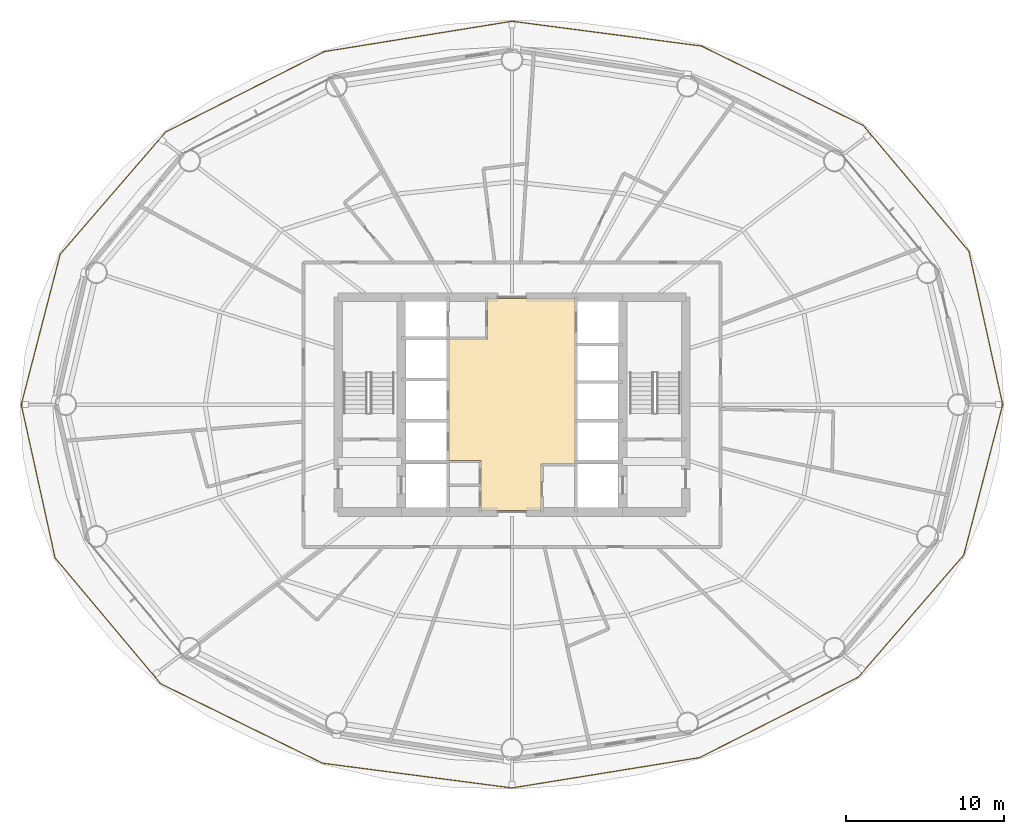
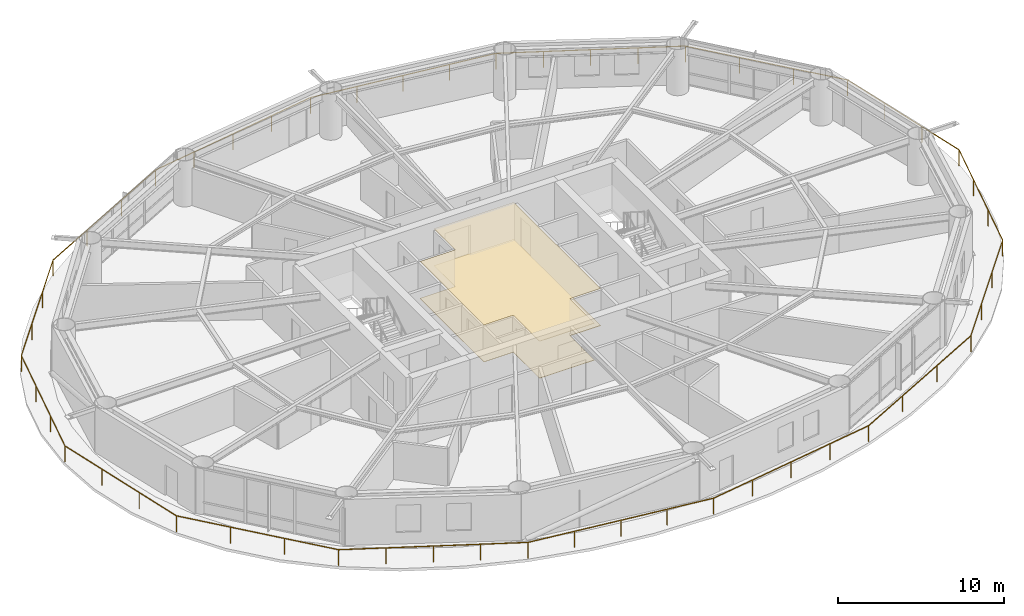
# One storey, part 23 of 24: 2 coverings, 1 railing.
"""IFC4 building model written with IfcOpenShell, lengths in metres."""

from ifc_helpers import new_model, si_unit, direction, frame, origin, origin_2d, place, context, subcontext, project, spatial, polyline, rectangle, outline, extrude, material, layer, layer_set, type_object, element, save


model = new_model("IFC4")

# Units and contexts
model_context = context("Model", 3, precision=1e-05, world=origin(), true_north=direction((0.0, 1.0)))
body_context = subcontext(model_context, "Body", "Model", "MODEL_VIEW")
ifc_project = project(units=[si_unit("LENGTHUNIT", "METRE"), si_unit("AREAUNIT", "SQUARE_METRE"), si_unit("VOLUMEUNIT", "CUBIC_METRE"), si_unit("PLANEANGLEUNIT", "RADIAN"), si_unit("MASSUNIT", "GRAM", prefix="KILO")], contexts=[model_context])

# Site, building, storey
site_placement = place(None, origin())
site = spatial("IfcSite", under=ifc_project, at=site_placement, CompositionType="ELEMENT")
building_placement = place(site_placement, origin())
building = spatial("IfcBuilding", under=site, at=building_placement, Name="Sarneth Arch Tower", CompositionType="ELEMENT")
storey_placement = place(building_placement, frame((0.0, 0.0, 127.199951171875)))
storey = spatial("IfcBuildingStorey", under=building, at=storey_placement, Name="L32", CompositionType="ELEMENT", Elevation=127.199951171875)

# Coverings
ifc_material_1 = material(Name="Perforated acoustic gypsum ceiling board")
ifc_layer_1 = layer(ifc_material_1, 0.02490234375)
ifc_layer_set_1 = layer_set([ifc_layer_1], Name="Perforated acoustic gypsum ceiling board")
covering_type_1 = type_object("IfcCoveringType", Name="COV-CEIL-GYP", PredefinedType="CEILING", material=ifc_layer_set_1)
covering_1_placement = place(storey_placement, frame((0.0, 0.0, 2.7099609375)))
element("IfcCovering", 1, at=covering_1_placement, inside=storey, type_object=covering_type_1, Name="L32 Lift lobby acoustic ceiling", PredefinedType="CEILING", context=body_context, shape_type="SweptSolid", body=[
    extrude(outline(polyline([(49.85009765625, 38.25), (49.85009765625, 35.300048828125), (46.050048828125, 35.300048828125), (46.050048828125, 38.449951171875), (44.0, 38.449951171875), (44.0, 46.14990234375), (46.449951171875, 46.14990234375), (46.449951171875, 48.699951171875), (52.0, 48.699951171875), (52.0, 38.25), (49.85009765625, 38.25)])), origin(), (0.0, 0.0, 1.0), 0.030029296875),
])
ifc_material_2 = material(Name="Honed granite stone flooring", Category="masonry")
ifc_layer_2 = layer(ifc_material_2, 0.030029296875)
ifc_layer_set_2 = layer_set([ifc_layer_2], Name="Honed granite stone flooring")
covering_type_2 = type_object("IfcCoveringType", Name="COV-FLR-STONE", PredefinedType="FLOORING", material=ifc_layer_set_2)
covering_2_placement = place(storey_placement, origin())
element("IfcCovering", 2, at=covering_2_placement, inside=storey, type_object=covering_type_2, Name="L32 Lift lobby granite flooring", PredefinedType="FLOORING", context=body_context, shape_type="SweptSolid", body=[
    extrude(outline(polyline([(49.85009765625, 38.25), (49.85009765625, 35.300048828125), (46.050048828125, 35.300048828125), (46.050048828125, 38.449951171875), (44.0, 38.449951171875), (44.0, 46.14990234375), (46.449951171875, 46.14990234375), (46.449951171875, 48.699951171875), (52.0, 48.699951171875), (52.0, 38.25), (49.85009765625, 38.25)])), origin(), (0.0, 0.0, 1.0), 0.030029296875),
])

# Railing
ifc_material_3 = material(Name="Laminated structural glass infill with Stainless Steel 316 top rail and posts", Category="steel")
railing_type = type_object("IfcRailingType", Name="RAIL-BALC-1200", PredefinedType="BALUSTRADE", material=ifc_material_3)
railing_placement = place(storey_placement, frame((79.048828125, 42.0, 0.0)))
element("IfcRailing", 3, at=railing_placement, inside=storey, type_object=railing_type, Name="L32 Helical balcony glass balustrade", PredefinedType="BALUSTRADE", context=body_context, shape_type="SweptSolid", body=[
    extrude(rectangle(XDim=0.048095703125, YDim=0.048095703125, at=origin_2d()), frame((0.0, 0.0, 1.17578125), z_axis=(-0.215514441367, 0.976500653129, 0.0), x_axis=(-0.976500653129, -0.215514441367, 0.0)), (0.0, 0.0, 1.0), 9.9326171875),
    extrude(rectangle(XDim=0.048095703125, YDim=0.048095703125, at=origin_2d()), frame((-2.140625, 9.69921875, 1.17578125), z_axis=(-0.642566429906, 0.766229980592, 0.0), x_axis=(-0.766229980592, -0.642566429906, 0.0)), (0.0, 0.0, 1.0), 10.390380859375),
    extrude(rectangle(XDim=0.048095703125, YDim=0.048095703125, at=origin_2d()), frame((-8.817138671875, 17.66064453125, 1.17578125), z_axis=(-0.89774838368, 0.440508614671, 0.0), x_axis=(-0.440508614671, -0.89774838368, 0.0)), (0.0, 0.0, 1.0), 11.410888671875),
    extrude(rectangle(XDim=0.048095703125, YDim=0.048095703125, at=origin_2d()), frame((-19.061279296875, 22.687255859375, 1.17578125), z_axis=(-0.991567948769, 0.12958781954, 0.0), x_axis=(-0.12958781954, -0.991567948769, 0.0)), (0.0, 0.0, 1.0), 12.089599609375),
    extrude(rectangle(XDim=0.048095703125, YDim=0.048095703125, at=origin_2d()), frame((-31.048828125, 24.25390625, 1.17578125), z_axis=(-0.987161658819, -0.159724322998, 0.0), x_axis=(0.159724322998, -0.987161658819, 0.0)), (0.0, 0.0, 1.0), 12.031005859375),
    extrude(rectangle(XDim=0.048095703125, YDim=0.048095703125, at=origin_2d()), frame((-42.92529296875, 22.332275390625, 1.17578125), z_axis=(-0.891835738691, -0.452359387205, 0.0), x_axis=(0.452359387205, -0.891835738691, 0.0)), (0.0, 0.0, 1.0), 11.256591796875),
    extrude(rectangle(XDim=0.048095703125, YDim=0.048095703125, at=origin_2d()), frame((-52.96435546875, 17.240234375, 1.17578125), z_axis=(-0.653541992259, -0.756890259122, 0.0), x_axis=(0.756890259122, -0.653541992259, 0.0)), (0.0, 0.0, 1.0), 10.202880859375),
    extrude(rectangle(XDim=0.048095703125, YDim=0.048095703125, at=origin_2d()), frame((-59.63232421875, 9.517822265625, 1.17578125), z_axis=(-0.250747574768, -0.968052505677, 0.0), x_axis=(0.968052505677, -0.250747574768, 0.0)), (0.0, 0.0, 1.0), 9.83203125),
    extrude(rectangle(XDim=0.048095703125, YDim=0.048095703125, at=origin_2d()), frame((-62.09765625, 0.0, 1.17578125), z_axis=(0.215514441367, -0.976500653129, 0.0), x_axis=(0.976500653129, 0.215514441367, 0.0)), (0.0, 0.0, 1.0), 9.9326171875),
    extrude(rectangle(XDim=0.048095703125, YDim=0.048095703125, at=origin_2d()), frame((-59.95703125, -9.69921875, 1.17578125), z_axis=(0.642566429906, -0.766229980592, 0.0), x_axis=(0.766229980592, 0.642566429906, 0.0)), (0.0, 0.0, 1.0), 10.390380859375),
    extrude(rectangle(XDim=0.048095703125, YDim=0.048095703125, at=origin_2d()), frame((-53.280517578125, -17.66064453125, 1.17578125), z_axis=(0.89774838368, -0.440508614671, 0.0), x_axis=(0.440508614671, 0.89774838368, 0.0)), (0.0, 0.0, 1.0), 11.410888671875),
    extrude(rectangle(XDim=0.048095703125, YDim=0.048095703125, at=origin_2d()), frame((-43.036376953125, -22.687255859375, 1.17578125), z_axis=(0.991567948769, -0.12958781954, 0.0), x_axis=(0.12958781954, 0.991567948769, 0.0)), (0.0, 0.0, 1.0), 12.089599609375),
    extrude(rectangle(XDim=0.048095703125, YDim=0.048095703125, at=origin_2d()), frame((-31.048828125, -24.25390625, 1.17578125), z_axis=(0.987161658819, 0.159724322998, 0.0), x_axis=(-0.159724322998, 0.987161658819, 0.0)), (0.0, 0.0, 1.0), 12.031005859375),
    extrude(rectangle(XDim=0.048095703125, YDim=0.048095703125, at=origin_2d()), frame((-19.17236328125, -22.332275390625, 1.17578125), z_axis=(0.891835738691, 0.452359387205, 0.0), x_axis=(-0.452359387205, 0.891835738691, 0.0)), (0.0, 0.0, 1.0), 11.256591796875),
    extrude(rectangle(XDim=0.048095703125, YDim=0.048095703125, at=origin_2d()), frame((-9.13330078125, -17.240234375, 1.17578125), z_axis=(0.653541992259, 0.756890259122, 0.0), x_axis=(-0.756890259122, 0.653541992259, 0.0)), (0.0, 0.0, 1.0), 10.202880859375),
    extrude(rectangle(XDim=0.048095703125, YDim=0.048095703125, at=origin_2d()), frame((-2.46533203125, -9.517822265625, 1.17578125), z_axis=(0.250747574768, 0.968052505677, 0.0), x_axis=(-0.968052505677, 0.250747574768, 0.0)), (0.0, 0.0, 1.0), 9.83203125),
    extrude(rectangle(XDim=0.0419921875, YDim=0.0419921875, at=origin_2d()), origin(), (0.0, 0.0, 1.0), 1.15185546875),
    extrude(rectangle(XDim=0.0419921875, YDim=0.0419921875, at=origin_2d()), frame((-0.713623046875, 3.233154296875, 0.0)), (0.0, 0.0, 1.0), 1.15185546875),
    extrude(rectangle(XDim=0.0419921875, YDim=0.0419921875, at=origin_2d()), frame((-1.427001953125, 6.466064453125, 0.0)), (0.0, 0.0, 1.0), 1.15185546875),
    extrude(rectangle(XDim=0.0419921875, YDim=0.0419921875, at=origin_2d()), frame((-2.140625, 9.69921875, 0.0)), (0.0, 0.0, 1.0), 1.15185546875),
    extrude(rectangle(XDim=0.0419921875, YDim=0.0419921875, at=origin_2d()), frame((-4.3662109375, 12.35302734375, 0.0)), (0.0, 0.0, 1.0), 1.15185546875),
    extrude(rectangle(XDim=0.0419921875, YDim=0.0419921875, at=origin_2d()), frame((-6.591552734375, 15.0068359375, 0.0)), (0.0, 0.0, 1.0), 1.15185546875),
    extrude(rectangle(XDim=0.0419921875, YDim=0.0419921875, at=origin_2d()), frame((-8.817138671875, 17.66064453125, 0.0)), (0.0, 0.0, 1.0), 1.15185546875),
    extrude(rectangle(XDim=0.0419921875, YDim=0.0419921875, at=origin_2d()), frame((-11.378173828125, 18.917236328125, 0.0)), (0.0, 0.0, 1.0), 1.15185546875),
    extrude(rectangle(XDim=0.0419921875, YDim=0.0419921875, at=origin_2d()), frame((-13.939208984375, 20.173828125, 0.0)), (0.0, 0.0, 1.0), 1.15185546875),
    extrude(rectangle(XDim=0.0419921875, YDim=0.0419921875, at=origin_2d()), frame((-16.500244140625, 21.4306640625, 0.0)), (0.0, 0.0, 1.0), 1.15185546875),
    extrude(rectangle(XDim=0.0419921875, YDim=0.0419921875, at=origin_2d()), frame((-19.061279296875, 22.687255859375, 0.0)), (0.0, 0.0, 1.0), 1.15185546875),
    extrude(rectangle(XDim=0.0419921875, YDim=0.0419921875, at=origin_2d()), frame((-22.05810546875, 23.078857421875, 0.0)), (0.0, 0.0, 1.0), 1.15185546875),
    extrude(rectangle(XDim=0.0419921875, YDim=0.0419921875, at=origin_2d()), frame((-25.05517578125, 23.470703125, 0.0)), (0.0, 0.0, 1.0), 1.15185546875),
    extrude(rectangle(XDim=0.0419921875, YDim=0.0419921875, at=origin_2d()), frame((-28.052001953125, 23.8623046875, 0.0)), (0.0, 0.0, 1.0), 1.15185546875),
    extrude(rectangle(XDim=0.0419921875, YDim=0.0419921875, at=origin_2d()), frame((-31.048828125, 24.25390625, 0.0)), (0.0, 0.0, 1.0), 1.15185546875),
    extrude(rectangle(XDim=0.0419921875, YDim=0.0419921875, at=origin_2d()), frame((-34.01806640625, 23.7734375, 0.0)), (0.0, 0.0, 1.0), 1.15185546875),
    extrude(rectangle(XDim=0.0419921875, YDim=0.0419921875, at=origin_2d()), frame((-36.987060546875, 23.29296875, 0.0)), (0.0, 0.0, 1.0), 1.15185546875),
    extrude(rectangle(XDim=0.0419921875, YDim=0.0419921875, at=origin_2d()), frame((-39.9560546875, 22.812744140625, 0.0)), (0.0, 0.0, 1.0), 1.15185546875),
    extrude(rectangle(XDim=0.0419921875, YDim=0.0419921875, at=origin_2d()), frame((-42.92529296875, 22.332275390625, 0.0)), (0.0, 0.0, 1.0), 1.15185546875),
    extrude(rectangle(XDim=0.0419921875, YDim=0.0419921875, at=origin_2d()), frame((-46.271728515625, 20.635009765625, 0.0)), (0.0, 0.0, 1.0), 1.15185546875),
    extrude(rectangle(XDim=0.0419921875, YDim=0.0419921875, at=origin_2d()), frame((-49.617919921875, 18.9375, 0.0)), (0.0, 0.0, 1.0), 1.15185546875),
    extrude(rectangle(XDim=0.0419921875, YDim=0.0419921875, at=origin_2d()), frame((-52.96435546875, 17.240234375, 0.0)), (0.0, 0.0, 1.0), 1.15185546875),
    extrude(rectangle(XDim=0.0419921875, YDim=0.0419921875, at=origin_2d()), frame((-55.18701171875, 14.666015625, 0.0)), (0.0, 0.0, 1.0), 1.15185546875),
    extrude(rectangle(XDim=0.0419921875, YDim=0.0419921875, at=origin_2d()), frame((-57.40966796875, 12.092041015625, 0.0)), (0.0, 0.0, 1.0), 1.15185546875),
    extrude(rectangle(XDim=0.0419921875, YDim=0.0419921875, at=origin_2d()), frame((-59.63232421875, 9.517822265625, 0.0)), (0.0, 0.0, 1.0), 1.15185546875),
    extrude(rectangle(XDim=0.0419921875, YDim=0.0419921875, at=origin_2d()), frame((-60.4541015625, 6.34521484375, 0.0)), (0.0, 0.0, 1.0), 1.15185546875),
    extrude(rectangle(XDim=0.0419921875, YDim=0.0419921875, at=origin_2d()), frame((-61.27587890625, 3.172607421875, 0.0)), (0.0, 0.0, 1.0), 1.15185546875),
    extrude(rectangle(XDim=0.0419921875, YDim=0.0419921875, at=origin_2d()), frame((-62.09765625, 0.0, 0.0)), (0.0, 0.0, 1.0), 1.15185546875),
    extrude(rectangle(XDim=0.0419921875, YDim=0.0419921875, at=origin_2d()), frame((-61.384033203125, -3.233154296875, 0.0)), (0.0, 0.0, 1.0), 1.15185546875),
    extrude(rectangle(XDim=0.0419921875, YDim=0.0419921875, at=origin_2d()), frame((-60.670654296875, -6.466064453125, 0.0)), (0.0, 0.0, 1.0), 1.15185546875),
    extrude(rectangle(XDim=0.0419921875, YDim=0.0419921875, at=origin_2d()), frame((-59.95703125, -9.69921875, 0.0)), (0.0, 0.0, 1.0), 1.15185546875),
    extrude(rectangle(XDim=0.0419921875, YDim=0.0419921875, at=origin_2d()), frame((-57.7314453125, -12.35302734375, 0.0)), (0.0, 0.0, 1.0), 1.15185546875),
    extrude(rectangle(XDim=0.0419921875, YDim=0.0419921875, at=origin_2d()), frame((-55.506103515625, -15.0068359375, 0.0)), (0.0, 0.0, 1.0), 1.15185546875),
    extrude(rectangle(XDim=0.0419921875, YDim=0.0419921875, at=origin_2d()), frame((-53.280517578125, -17.66064453125, 0.0)), (0.0, 0.0, 1.0), 1.15185546875),
    extrude(rectangle(XDim=0.0419921875, YDim=0.0419921875, at=origin_2d()), frame((-50.719482421875, -18.917236328125, 0.0)), (0.0, 0.0, 1.0), 1.15185546875),
    extrude(rectangle(XDim=0.0419921875, YDim=0.0419921875, at=origin_2d()), frame((-48.158447265625, -20.173828125, 0.0)), (0.0, 0.0, 1.0), 1.15185546875),
    extrude(rectangle(XDim=0.0419921875, YDim=0.0419921875, at=origin_2d()), frame((-45.597412109375, -21.4306640625, 0.0)), (0.0, 0.0, 1.0), 1.15185546875),
    extrude(rectangle(XDim=0.0419921875, YDim=0.0419921875, at=origin_2d()), frame((-43.036376953125, -22.687255859375, 0.0)), (0.0, 0.0, 1.0), 1.15185546875),
    extrude(rectangle(XDim=0.0419921875, YDim=0.0419921875, at=origin_2d()), frame((-40.03955078125, -23.078857421875, 0.0)), (0.0, 0.0, 1.0), 1.15185546875),
    extrude(rectangle(XDim=0.0419921875, YDim=0.0419921875, at=origin_2d()), frame((-37.04248046875, -23.470703125, 0.0)), (0.0, 0.0, 1.0), 1.15185546875),
    extrude(rectangle(XDim=0.0419921875, YDim=0.0419921875, at=origin_2d()), frame((-34.045654296875, -23.8623046875, 0.0)), (0.0, 0.0, 1.0), 1.15185546875),
    extrude(rectangle(XDim=0.0419921875, YDim=0.0419921875, at=origin_2d()), frame((-31.048828125, -24.25390625, 0.0)), (0.0, 0.0, 1.0), 1.15185546875),
    extrude(rectangle(XDim=0.0419921875, YDim=0.0419921875, at=origin_2d()), frame((-28.07958984375, -23.7734375, 0.0)), (0.0, 0.0, 1.0), 1.15185546875),
    extrude(rectangle(XDim=0.0419921875, YDim=0.0419921875, at=origin_2d()), frame((-25.110595703125, -23.29296875, 0.0)), (0.0, 0.0, 1.0), 1.15185546875),
    extrude(rectangle(XDim=0.0419921875, YDim=0.0419921875, at=origin_2d()), frame((-22.1416015625, -22.812744140625, 0.0)), (0.0, 0.0, 1.0), 1.15185546875),
    extrude(rectangle(XDim=0.0419921875, YDim=0.0419921875, at=origin_2d()), frame((-19.17236328125, -22.332275390625, 0.0)), (0.0, 0.0, 1.0), 1.15185546875),
    extrude(rectangle(XDim=0.0419921875, YDim=0.0419921875, at=origin_2d()), frame((-15.825927734375, -20.635009765625, 0.0)), (0.0, 0.0, 1.0), 1.15185546875),
    extrude(rectangle(XDim=0.0419921875, YDim=0.0419921875, at=origin_2d()), frame((-12.479736328125, -18.9375, 0.0)), (0.0, 0.0, 1.0), 1.15185546875),
    extrude(rectangle(XDim=0.0419921875, YDim=0.0419921875, at=origin_2d()), frame((-9.13330078125, -17.240234375, 0.0)), (0.0, 0.0, 1.0), 1.15185546875),
    extrude(rectangle(XDim=0.0419921875, YDim=0.0419921875, at=origin_2d()), frame((-6.91064453125, -14.666015625, 0.0)), (0.0, 0.0, 1.0), 1.15185546875),
    extrude(rectangle(XDim=0.0419921875, YDim=0.0419921875, at=origin_2d()), frame((-4.68798828125, -12.092041015625, 0.0)), (0.0, 0.0, 1.0), 1.15185546875),
    extrude(rectangle(XDim=0.0419921875, YDim=0.0419921875, at=origin_2d()), frame((-2.46533203125, -9.517822265625, 0.0)), (0.0, 0.0, 1.0), 1.15185546875),
    extrude(rectangle(XDim=0.0419921875, YDim=0.0419921875, at=origin_2d()), frame((-1.6435546875, -6.34521484375, 0.0)), (0.0, 0.0, 1.0), 1.15185546875),
    extrude(rectangle(XDim=0.0419921875, YDim=0.0419921875, at=origin_2d()), frame((-0.82177734375, -3.172607421875, 0.0)), (0.0, 0.0, 1.0), 1.15185546875),
])

save(model, "model.ifc")
